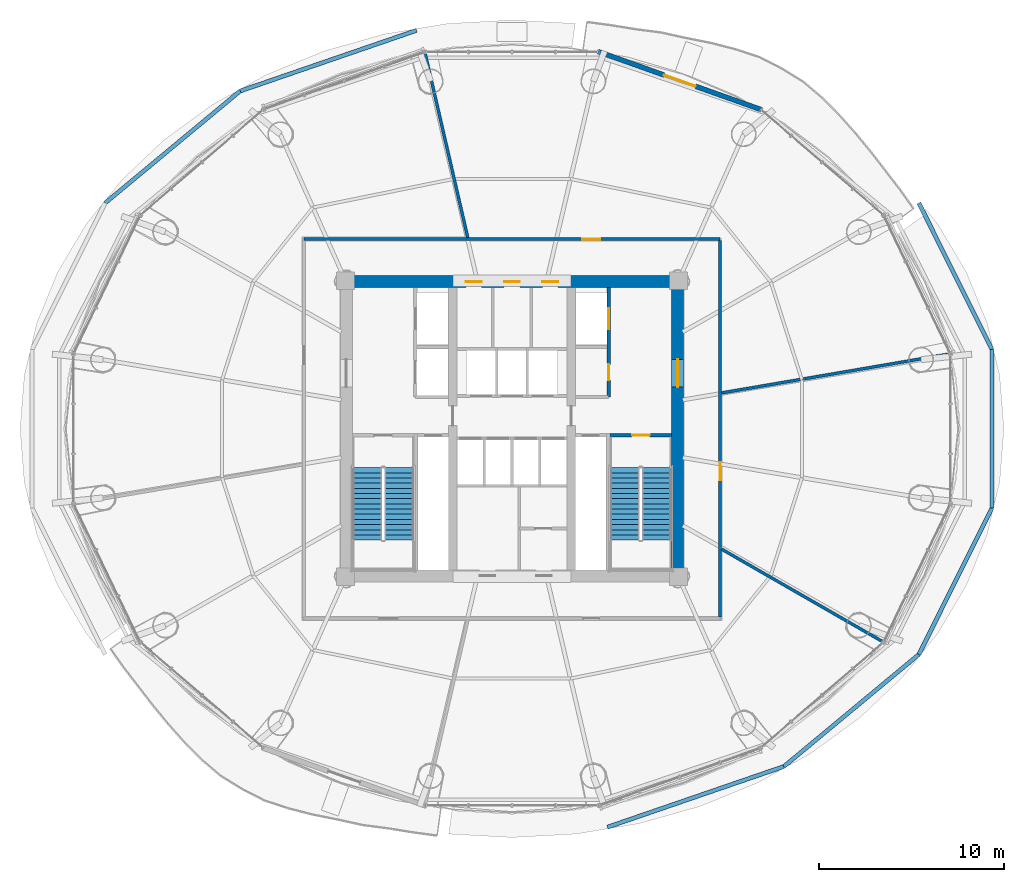
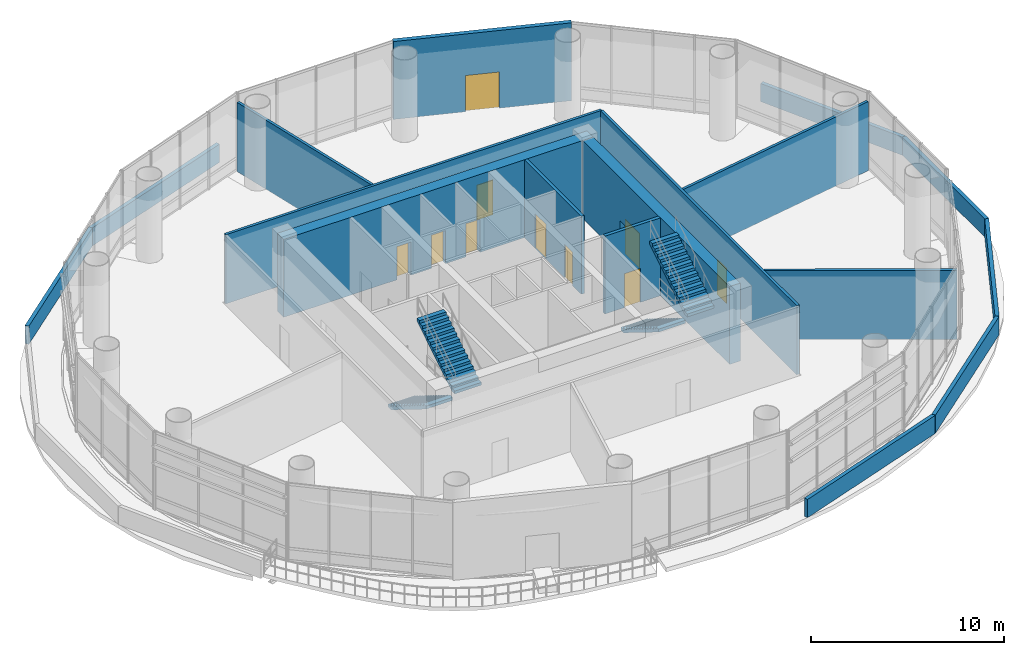
# One storey, part 23 of 29: 17 walls, 10 doors, 4 stair flights, 10 openings, 2 elements without a shape of their own.
"""IFC4 building model written with IfcOpenShell, lengths in metres."""

from ifc_helpers import new_model, si_unit, direction, frame, frame_2d, origin, place, context, subcontext, project, spatial, polyline, rectangle, outline, extrude, source, transform, mapped, material, layer, layer_set, type_object, element, fill, aggregate, save


model = new_model("IFC4")

# Units and contexts
model_context = context("Model", 3, precision=1e-05, world=origin(), true_north=direction((-0.2419218956, 0.970295726276)))
body_context = subcontext(model_context, "Body", "Model", "MODEL_VIEW")
ifc_project = project(units=[si_unit("LENGTHUNIT", "METRE"), si_unit("AREAUNIT", "SQUARE_METRE"), si_unit("VOLUMEUNIT", "CUBIC_METRE"), si_unit("PLANEANGLEUNIT", "RADIAN"), si_unit("MASSUNIT", "GRAM", prefix="KILO")], contexts=[model_context])

# Site, building, storey
site_placement = place(None, origin())
site = spatial("IfcSite", under=ifc_project, at=site_placement, CompositionType="ELEMENT")
building_placement = place(site_placement, origin())
building = spatial("IfcBuilding", under=site, at=building_placement, Name="Cobrevalo Terracotta Tower", CompositionType="ELEMENT")
storey_placement = place(building_placement, frame((0.0, 0.0, 130.199951171875)))
storey = spatial("IfcBuildingStorey", under=building, at=storey_placement, Name="L34", CompositionType="ELEMENT", Elevation=130.199951171875)

# Wall, openings, doors
ifc_material_1 = material(Name="Concrete C55", Category="concrete")
ifc_layer_1 = layer(ifc_material_1, 0.64990234375)
ifc_layer_set_1 = layer_set([ifc_layer_1], Name="Concrete C55")
wall_type_1 = type_object("IfcWallType", Name="Core shear wall 650 mm Concrete C55", PredefinedType="SHEAR", material=ifc_layer_set_1)
wall_1_placement = place(storey_placement, frame((28.72509765625, 34.75, 0.0), z_axis=(0.0, 0.0, 1.0), x_axis=(1.0, 0.0, 0.0)))
wall_1 = element("IfcWall", 1, at=wall_1_placement, inside=storey, type_object=wall_type_1, Name="L34 north core shear wall", PredefinedType="SHEAR", context=body_context, shape_type="SweptSolid", body=[
    extrude(rectangle(XDim=18.5498046875, YDim=0.64990234375, at=frame_2d((9.27490234375, 0.0))), origin(), (0.0, 0.0, 1.0), 4.929931640625),
])
opening_1_placement = place(wall_1_placement, frame((6.78759765625, 0.0, 0.0)))
opening_1 = element("IfcOpeningElement", 2, at=opening_1_placement, cuts=wall_1, Name="Opening ID-22", PredefinedType="OPENING", context=body_context, shape_type="SweptSolid", body=[
    extrude(rectangle(XDim=0.85009765625, YDim=2.10009765625, at=frame_2d((0.425048828125, 1.050048828125))), frame((0.0, 0.3349609375, 0.0), z_axis=(0.0, -1.0, 0.0), x_axis=(1.0, 0.0, 0.0)), (0.0, 0.0, 1.0), 0.669921875),
])
opening_2_placement = place(wall_1_placement, frame((8.844970703125, 0.0, 0.0)))
opening_2 = element("IfcOpeningElement", 3, at=opening_2_placement, cuts=wall_1, Name="Opening ID-07", PredefinedType="OPENING", context=body_context, shape_type="SweptSolid", body=[
    extrude(rectangle(XDim=0.860107421875, YDim=2.10009765625, at=frame_2d((0.43017578125, 1.050048828125))), frame((0.0, 0.3349609375, 0.0), z_axis=(0.0, -1.0, 0.0), x_axis=(1.0, 0.0, 0.0)), (0.0, 0.0, 1.0), 0.669921875),
])
opening_3_placement = place(wall_1_placement, frame((10.91259765625, 0.0, 0.0)))
opening_3 = element("IfcOpeningElement", 4, at=opening_3_placement, cuts=wall_1, Name="Opening ID-22", PredefinedType="OPENING", context=body_context, shape_type="SweptSolid", body=[
    extrude(rectangle(XDim=0.85009765625, YDim=2.10009765625, at=frame_2d((0.425048828125, 1.050048828125))), frame((0.0, 0.3349609375, 0.0), z_axis=(0.0, -1.0, 0.0), x_axis=(1.0, 0.0, 0.0)), (0.0, 0.0, 1.0), 0.669921875),
])
ifc_material_2 = material(Name="Powder-coated steel", Category="steel")
door_type_1 = type_object("IfcDoorType", Name="Riser shaft & meter closet fire access door 850x2100 EI 60", OperationType="NOTDEFINED", PredefinedType="DOOR", material=ifc_material_2)
shared_shape_1 = source(origin(), body_context, "Body", "SweptSolid", [
    extrude(rectangle(XDim=0.85009765625, YDim=2.10009765625, at=frame_2d((0.425048828125, 1.050048828125))), frame((0.0, 0.02490234375, 0.0), z_axis=(0.0, -1.0, 0.0), x_axis=(1.0, 0.0, 0.0)), (0.0, 0.0, 1.0), 0.050048828125),
])
door_1_placement = place(opening_1_placement, frame((0.85009765625, 0.0, 0.0), z_axis=(0.0, 0.0, 1.0), x_axis=(-1.0, 0.0, 0.0)))
door_1 = element("IfcDoor", 5, at=door_1_placement, inside=storey, type_object=door_type_1, Name="L34 core north service door Housekeeping Linen Store", OperationType="SINGLE_SWING_LEFT", OverallHeight=2.10009765625, OverallWidth=0.85009765625, PredefinedType="DOOR", context=body_context, shape_type="MappedRepresentation", body=[
    mapped(shared_shape_1, transform((0.0, 0.0, 0.0), scale=1.0)),
])
fill(opening_1, door_1)
door_2_placement = place(opening_3_placement, frame((0.85009765625, 0.0, 0.0), z_axis=(0.0, 0.0, 1.0), x_axis=(-1.0, 0.0, 0.0)))
door_2 = element("IfcDoor", 6, at=door_2_placement, inside=storey, type_object=door_type_1, Name="L34 core north service door Floor BMS Mechanical Plant", OperationType="SINGLE_SWING_LEFT", OverallHeight=2.10009765625, OverallWidth=0.85009765625, PredefinedType="DOOR", context=body_context, shape_type="MappedRepresentation", body=[
    mapped(shared_shape_1, transform((0.0, 0.0, 0.0), scale=1.0)),
])
fill(opening_3, door_2)
ifc_material_3 = material(Name="Fire-rated moisture-sealed timber", Category="wood")
door_type_2 = type_object("IfcDoorType", Name="Core & podium fire-rated accessible WC door 860x2100 EI 60", OperationType="NOTDEFINED", PredefinedType="DOOR", material=ifc_material_3)
shared_shape_2 = source(origin(), body_context, "Body", "SweptSolid", [
    extrude(rectangle(XDim=0.860107421875, YDim=2.10009765625, at=frame_2d((0.43017578125, 1.050048828125))), frame((0.0, 0.02490234375, 0.0), z_axis=(0.0, -1.0, 0.0), x_axis=(1.0, 0.0, 0.0)), (0.0, 0.0, 1.0), 0.050048828125),
])
door_3_placement = place(opening_2_placement, frame((0.860107421875, 0.0, 0.0), z_axis=(0.0, 0.0, 1.0), x_axis=(-1.0, 0.0, 0.0)))
door_3 = element("IfcDoor", 7, at=door_3_placement, inside=storey, type_object=door_type_2, Name="L34 core north service door Floor Service Toilet WC", OperationType="SINGLE_SWING_RIGHT", OverallHeight=2.10009765625, OverallWidth=0.860107421875, PredefinedType="DOOR", context=body_context, shape_type="MappedRepresentation", body=[
    mapped(shared_shape_2, transform((0.0, 0.0, 0.0), scale=1.0)),
])
fill(opening_2, door_3)

# Wall, opening, door
wall_2_placement = place(storey_placement, frame((46.949951171875, 19.175048828125, 0.0), z_axis=(0.0, 0.0, 1.0), x_axis=(0.0, 1.0, 0.0)))
wall_2 = element("IfcWall", 8, at=wall_2_placement, inside=storey, type_object=wall_type_1, Name="L34 east core shear wall", PredefinedType="SHEAR", context=body_context, shape_type="SweptSolid", body=[
    extrude(rectangle(XDim=15.25, YDim=0.64990234375, at=frame_2d((7.625, 0.0))), origin(), (0.0, 0.0, 1.0), 4.929931640625),
])
opening_4_placement = place(wall_2_placement, frame((9.875, 0.0, 0.0)))
opening_4 = element("IfcOpeningElement", 9, at=opening_4_placement, cuts=wall_2, Name="Opening ID-14", PredefinedType="OPENING", context=body_context, shape_type="SweptSolid", body=[
    extrude(rectangle(XDim=1.5, YDim=2.199951171875, at=frame_2d((0.75, 1.10009765625))), frame((0.0, 0.3349609375, 0.0), z_axis=(0.0, -1.0, 0.0), x_axis=(1.0, 0.0, 0.0)), (0.0, 0.0, 1.0), 0.669921875),
])
ifc_material_4 = material(Name="Galvanized fire-rated steel", Category="steel")
door_type_3 = type_object("IfcDoorType", Name="Core cross-lobby double fire door 1500x2200 EI 90", OperationType="NOTDEFINED", PredefinedType="DOOR", material=ifc_material_4)
shared_shape_3 = source(origin(), body_context, "Body", "SweptSolid", [
    extrude(rectangle(XDim=1.5, YDim=2.199951171875, at=frame_2d((0.75, 1.10009765625))), frame((0.0, 0.02490234375, 0.0), z_axis=(0.0, -1.0, 0.0), x_axis=(1.0, 0.0, 0.0)), (0.0, 0.0, 1.0), 0.050048828125),
])
door_4_placement = place(opening_4_placement, frame((1.5, 0.0, 0.0), z_axis=(0.0, 0.0, 1.0), x_axis=(-1.0, 0.0, 0.0)))
door_4 = element("IfcDoor", 10, at=door_4_placement, inside=storey, type_object=door_type_3, Name="L34 east firefighting lobby entrance door", OperationType="DOUBLE_DOOR_SINGLE_SWING", OverallHeight=2.199951171875, OverallWidth=1.5, PredefinedType="DOOR", context=body_context, shape_type="MappedRepresentation", body=[
    mapped(shared_shape_3, transform((0.0, 0.0, 0.0), scale=1.0)),
])
fill(opening_4, door_4)

ifc_material_5 = material(Name="Gypsum board on steel stud", Category="steel")
ifc_layer_2 = layer(ifc_material_5, 0.159912109375)
ifc_layer_set_2 = layer_set([ifc_layer_2], Name="Gypsum board on steel stud")
wall_type_2 = type_object("IfcWallType", Name="Fire-rated corridor acoustic partition wall 160 mm", PredefinedType="PARTITIONING", material=ifc_layer_set_2)
wall_3_placement = place(storey_placement, frame((26.7451171875, 37.054931640625, 0.0), z_axis=(0.0, 0.0, 1.0), x_axis=(1.0, 0.0, 0.0)))
wall_3 = element("IfcWall", 11, at=wall_3_placement, inside=storey, type_object=wall_type_2, Name="L34 interior partition IW-L34-COR-N", PredefinedType="PARTITIONING", context=body_context, shape_type="SweptSolid", body=[
    extrude(rectangle(XDim=22.509765625, YDim=0.159912109375, at=frame_2d((11.2548828125, 0.0))), origin(), (0.0, 0.0, 1.0), 4.3759765625),
])
opening_5_placement = place(wall_3_placement, frame((15.05224609375, 0.0, 0.0)))
opening_5 = element("IfcOpeningElement", 12, at=opening_5_placement, cuts=wall_3, Name="Opening ID-05", PredefinedType="OPENING", context=body_context, shape_type="SweptSolid", body=[
    extrude(rectangle(XDim=0.97998046875, YDim=2.199951171875, at=frame_2d((0.489990234375, 1.10009765625))), frame((0.0, 0.08984375, 0.0), z_axis=(0.0, -1.0, 0.0), x_axis=(1.0, 0.0, 0.0)), (0.0, 0.0, 1.0), 0.179931640625),
])
ifc_material_6 = material(Name="Solid hardwood timber", Category="wood")
door_type_4 = type_object("IfcDoorType", Name="Residence entrance fire-rated acoustic timber door 980x2200 EI 60", OperationType="NOTDEFINED", PredefinedType="DOOR", material=ifc_material_6)
shared_shape_4 = source(origin(), body_context, "Body", "SweptSolid", [
    extrude(rectangle(XDim=0.97998046875, YDim=2.199951171875, at=frame_2d((0.489990234375, 1.10009765625))), frame((0.0, 0.02490234375, 0.0), z_axis=(0.0, -1.0, 0.0), x_axis=(1.0, 0.0, 0.0)), (0.0, 0.0, 1.0), 0.050048828125),
])
door_5_placement = place(opening_5_placement, frame((0.97998046875, 0.0, 0.0), z_axis=(0.0, 0.0, 1.0), x_axis=(-1.0, 0.0, 0.0)))
door_5 = element("IfcDoor", 13, at=door_5_placement, inside=storey, type_object=door_type_4, Name="L34 Sky Transfer Lounge door", OperationType="SINGLE_SWING_RIGHT", OverallHeight=2.199951171875, OverallWidth=0.97998046875, PredefinedType="DOOR", context=body_context, shape_type="MappedRepresentation", body=[
    mapped(shared_shape_4, transform((0.0, 0.0, 0.0), scale=1.0)),
])
fill(opening_5, door_5)

wall_4_placement = place(storey_placement, frame((49.2548828125, 16.625, 0.0), z_axis=(0.0, 0.0, 1.0), x_axis=(0.0, 1.0, 0.0)))
wall_4 = element("IfcWall", 14, at=wall_4_placement, inside=storey, type_object=wall_type_2, Name="L34 interior partition IW-L34-COR-E", PredefinedType="PARTITIONING", context=body_context, shape_type="SweptSolid", body=[
    extrude(rectangle(XDim=20.35009765625, YDim=0.159912109375, at=frame_2d((10.175048828125, 0.0))), origin(), (0.0, 0.0, 1.0), 4.3759765625),
])
opening_6_placement = place(wall_4_placement, frame((7.393798828125, 0.0, 0.0)))
opening_6 = element("IfcOpeningElement", 15, at=opening_6_placement, cuts=wall_4, Name="Opening ID-05", PredefinedType="OPENING", context=body_context, shape_type="SweptSolid", body=[
    extrude(rectangle(XDim=0.97998046875, YDim=2.199951171875, at=frame_2d((0.489990234375, 1.10009765625))), frame((0.0, 0.08984375, 0.0), z_axis=(0.0, -1.0, 0.0), x_axis=(1.0, 0.0, 0.0)), (0.0, 0.0, 1.0), 0.179931640625),
])
door_6_placement = place(opening_6_placement, frame((0.97998046875, 0.0, 0.0), z_axis=(0.0, 0.0, 1.0), x_axis=(-1.0, 0.0, 0.0)))
door_6 = element("IfcDoor", 16, at=door_6_placement, inside=storey, type_object=door_type_4, Name="L34 Concierge Pantry Store door", OperationType="SINGLE_SWING_RIGHT", OverallHeight=2.199951171875, OverallWidth=0.97998046875, PredefinedType="DOOR", context=body_context, shape_type="MappedRepresentation", body=[
    mapped(shared_shape_4, transform((0.0, 0.0, 0.0), scale=1.0)),
])
fill(opening_6, door_6)

# Walls
wall_5_placement = place(storey_placement, frame((49.3349609375, 28.73779296875, 0.0), z_axis=(0.0, 0.0, 1.0), x_axis=(0.985697276978, 0.168525600897, 0.0)))
element("IfcWall", 17, at=wall_5_placement, inside=storey, type_object=wall_type_2, Name="L34 interior partition IW-L34-SW1", PredefinedType="PARTITIONING", context=body_context, shape_type="SweptSolid", body=[
    extrude(rectangle(XDim=12.448486328125, YDim=0.159912109375, at=frame_2d((6.22412109375, 0.0))), origin(), (0.0, 0.0, 1.0), 4.3759765625),
])
wall_6_placement = place(storey_placement, frame((35.607666015625, 37.136962890625, 0.0), z_axis=(0.0, 0.0, 1.0), x_axis=(-0.22546402623, 0.974251493648, 0.0)))
element("IfcWall", 18, at=wall_6_placement, inside=storey, type_object=wall_type_2, Name="L34 interior partition IW-L34-SW2", PredefinedType="PARTITIONING", context=body_context, shape_type="SweptSolid", body=[
    extrude(rectangle(XDim=10.20458984375, YDim=0.159912109375, at=frame_2d((5.102294921875, 0.0))), origin(), (0.0, 0.0, 1.0), 4.3759765625),
])
wall_7_placement = place(storey_placement, frame((49.3349609375, 20.290283203125, 0.0), z_axis=(0.0, 0.0, 1.0), x_axis=(0.867165650495, -0.498019813463, 0.0)))
element("IfcWall", 19, at=wall_7_placement, inside=storey, type_object=wall_type_2, Name="L34 interior partition IW-L34-SW5", PredefinedType="PARTITIONING", context=body_context, shape_type="SweptSolid", body=[
    extrude(rectangle(XDim=10.00244140625, YDim=0.159912109375, at=frame_2d((5.001220703125, 0.0))), origin(), (0.0, 0.0, 1.0), 4.3759765625),
])

# Wall, openings, doors
ifc_layer_3 = layer(ifc_material_5, 0.179931640625)
ifc_layer_set_3 = layer_set([ifc_layer_3], Name="Gypsum board on steel stud")
wall_type_3 = type_object("IfcWallType", Name="Fire-rated shaft & lobby acoustic partition wall 180 mm", PredefinedType="PARTITIONING", material=ifc_layer_set_3)
wall_8_placement = place(storey_placement, frame((43.22998046875, 28.52001953125, 0.0), z_axis=(0.0, 0.0, 1.0), x_axis=(0.0, 1.0, 0.0)))
wall_8 = element("IfcWall", 20, at=wall_8_placement, inside=storey, type_object=wall_type_3, Name="L34 interior partition IW-L34-FF2-E", PredefinedType="PARTITIONING", context=body_context, shape_type="SweptSolid", body=[
    extrude(rectangle(XDim=5.905029296875, YDim=0.179931640625, at=frame_2d((2.95263671875, 0.0))), origin(), (0.0, 0.0, 1.0), 4.929931640625),
])
opening_7_placement = place(wall_8_placement, frame((0.905029296875, 0.0, 0.0)))
opening_7 = element("IfcOpeningElement", 21, at=opening_7_placement, cuts=wall_8, Name="Opening ID-22", PredefinedType="OPENING", context=body_context, shape_type="SweptSolid", body=[
    extrude(rectangle(XDim=0.85009765625, YDim=2.10009765625, at=frame_2d((0.425048828125, 1.050048828125))), frame((0.0, 0.10009765625, 0.0), z_axis=(0.0, -1.0, 0.0), x_axis=(1.0, 0.0, 0.0)), (0.0, 0.0, 1.0), 0.199951171875),
])
opening_8_placement = place(wall_8_placement, frame((3.655029296875, 0.0, 0.0)))
opening_8 = element("IfcOpeningElement", 22, at=opening_8_placement, cuts=wall_8, Name="Opening LD-02", PredefinedType="OPENING", context=body_context, shape_type="SweptSolid", body=[
    extrude(rectangle(XDim=1.14990234375, YDim=2.199951171875, at=frame_2d((0.574951171875, 1.10009765625))), frame((0.0, 0.10009765625, 0.0), z_axis=(0.0, -1.0, 0.0), x_axis=(1.0, 0.0, 0.0)), (0.0, 0.0, 1.0), 0.199951171875),
])
door_7_placement = place(opening_7_placement, frame((0.85009765625, 0.0, 0.0), z_axis=(0.0, 0.0, 1.0), x_axis=(-1.0, 0.0, 0.0)))
door_7 = element("IfcDoor", 23, at=door_7_placement, inside=storey, type_object=door_type_1, Name="L34 housekeeping store door", OperationType="SINGLE_SWING_RIGHT", OverallHeight=2.10009765625, OverallWidth=0.85009765625, PredefinedType="DOOR", context=body_context, shape_type="MappedRepresentation", body=[
    mapped(shared_shape_1, transform((0.0, 0.0, 0.0), scale=1.0)),
])
fill(opening_7, door_7)
ifc_material_7 = material(Name="Brushed stainless steel", Category="steel")
door_type_5 = type_object("IfcDoorType", Name="Firefighting lift landing bi-parting sliding door 1150x2200 EI 120", OperationType="DOUBLE_DOOR_SLIDING", PredefinedType="DOOR", material=ifc_material_7)
shared_shape_5 = source(origin(), body_context, "Body", "SweptSolid", [
    extrude(rectangle(XDim=1.14990234375, YDim=2.199951171875, at=frame_2d((0.574951171875, 1.10009765625))), frame((0.0, 0.02490234375, 0.0), z_axis=(0.0, -1.0, 0.0), x_axis=(1.0, 0.0, 0.0)), (0.0, 0.0, 1.0), 0.050048828125),
])
door_8_placement = place(opening_8_placement, origin())
door_8 = element("IfcDoor", 24, at=door_8_placement, inside=storey, type_object=door_type_5, Name="L34 lift landing door FF-2", OperationType="DOUBLE_DOOR_SLIDING", OverallHeight=2.199951171875, OverallWidth=1.14990234375, PredefinedType="DOOR", context=body_context, shape_type="MappedRepresentation", body=[
    mapped(shared_shape_5, transform((0.0, 0.0, 0.0), scale=1.0)),
])
fill(opening_8, door_8)

# Walls
ifc_material_8 = material(Name="Precast concrete C45", Category="concrete")
ifc_layer_4 = layer(ifc_material_8, 0.219970703125)
ifc_layer_set_4 = layer_set([ifc_layer_4], Name="Precast concrete C45")
wall_type_4 = type_object("IfcWallType", Name="Precast concrete roof and setback terrace parapet wall 220 mm", PredefinedType="PARAPET", material=ifc_layer_set_4)
wall_9_placement = place(storey_placement, frame((63.95166015625, 31.084228515625, 0.0), z_axis=(0.0, 0.0, 1.0), x_axis=(-0.446573272083, 0.894747066305, 0.0)))
element("IfcWall", 25, at=wall_9_placement, inside=storey, type_object=wall_type_4, Name="L34 setback roof concrete parapet 01", PredefinedType="PARAPET", context=body_context, shape_type="SweptSolid", body=[
    extrude(rectangle(XDim=8.84716796875, YDim=0.219970703125, at=frame_2d((4.423583984375, 0.0))), origin(), (0.0, 0.0, 1.0), 1.150146484375),
])
wall_10_placement = place(storey_placement, frame((32.837890625, 48.338134765625, 0.0), z_axis=(0.0, 0.0, 1.0), x_axis=(-0.945678925205, -0.325102092309, 0.0)))
element("IfcWall", 26, at=wall_10_placement, inside=storey, type_object=wall_type_4, Name="L34 setback roof concrete parapet 05", PredefinedType="PARAPET", context=body_context, shape_type="SweptSolid", body=[
    extrude(rectangle(XDim=10.086181640625, YDim=0.219970703125, at=frame_2d((5.04296875, 0.0))), origin(), (0.0, 0.0, 1.0), 1.150146484375),
])
wall_11_placement = place(storey_placement, frame((23.299560546875, 45.05908203125, 0.0), z_axis=(0.0, 0.0, 1.0), x_axis=(-0.769502226304, -0.638644129162, 0.0)))
element("IfcWall", 27, at=wall_11_placement, inside=storey, type_object=wall_type_4, Name="L34 setback roof concrete parapet 06", PredefinedType="PARAPET", context=body_context, shape_type="SweptSolid", body=[
    extrude(rectangle(XDim=9.487060546875, YDim=0.219970703125, at=frame_2d((4.74365234375, 0.0))), origin(), (0.0, 0.0, 1.0), 1.150146484375),
])
wall_12_placement = place(storey_placement, frame((43.162109375, 5.261962890625, 0.0), z_axis=(0.0, 0.0, 1.0), x_axis=(0.945678925205, 0.325102092309, 0.0)))
element("IfcWall", 28, at=wall_12_placement, inside=storey, type_object=wall_type_4, Name="L34 setback roof concrete parapet 13", PredefinedType="PARAPET", context=body_context, shape_type="SweptSolid", body=[
    extrude(rectangle(XDim=10.086181640625, YDim=0.219970703125, at=frame_2d((5.04296875, 0.0))), origin(), (0.0, 0.0, 1.0), 1.150146484375),
])
wall_13_placement = place(storey_placement, frame((52.700439453125, 8.541015625, 0.0), z_axis=(0.0, 0.0, 1.0), x_axis=(0.769514873097, 0.638628890736, 0.0)))
element("IfcWall", 29, at=wall_13_placement, inside=storey, type_object=wall_type_4, Name="L34 setback roof concrete parapet 14", PredefinedType="PARAPET", context=body_context, shape_type="SweptSolid", body=[
    extrude(rectangle(XDim=9.48681640625, YDim=0.219970703125, at=frame_2d((4.743408203125, 0.0))), origin(), (0.0, 0.0, 1.0), 1.150146484375),
])
wall_14_placement = place(storey_placement, frame((60.000732421875, 14.599609375, 0.0), z_axis=(0.0, 0.0, 1.0), x_axis=(0.4465622461, 0.89475256935, 0.0)))
element("IfcWall", 30, at=wall_14_placement, inside=storey, type_object=wall_type_4, Name="L34 setback roof concrete parapet 15", PredefinedType="PARAPET", context=body_context, shape_type="SweptSolid", body=[
    extrude(rectangle(XDim=8.847412109375, YDim=0.219970703125, at=frame_2d((4.423828125, 0.0))), origin(), (0.0, 0.0, 1.0), 1.150146484375),
])
wall_15_placement = place(storey_placement, frame((63.95166015625, 22.515869140625, 0.0), z_axis=(0.0, 0.0, 1.0), x_axis=(0.0, 1.0, 0.0)))
element("IfcWall", 31, at=wall_15_placement, inside=storey, type_object=wall_type_4, Name="L34 setback roof concrete parapet 16", PredefinedType="PARAPET", context=body_context, shape_type="SweptSolid", body=[
    extrude(rectangle(XDim=8.568359375, YDim=0.219970703125, at=frame_2d((4.2841796875, 0.0))), origin(), (0.0, 0.0, 1.0), 1.150146484375),
])

# Wall, opening, door
ifc_material_9 = material(Name="Autoclaved aerated concrete block", Category="concrete")
ifc_layer_5 = layer(ifc_material_9, 0.260009765625)
ifc_layer_set_5 = layer_set([ifc_layer_5], Name="Autoclaved aerated concrete block")
wall_type_5 = type_object("IfcWallType", Name="Recessed balcony loggia insulated exterior wall 260 mm", PredefinedType="SOLIDWALL", material=ifc_layer_set_5)
wall_16_placement = place(storey_placement, frame((51.50341796875, 44.042724609375, 0.0), z_axis=(0.0, 0.0, 1.0), x_axis=(-0.942095406405, 0.335344964522, 0.0)))
wall_16 = element("IfcWall", 32, at=wall_16_placement, inside=storey, type_object=wall_type_5, Name="L34 sky terrace loggia wall S03", PredefinedType="SOLIDWALL", context=body_context, shape_type="SweptSolid", body=[
    extrude(rectangle(XDim=9.408203125, YDim=0.260009765625, at=frame_2d((4.7041015625, 0.0))), origin(), (0.0, 0.0, 1.0), 4.929931640625),
])
opening_9_placement = place(wall_16_placement, frame((3.80419921875, 0.0, 0.0)))
opening_9 = element("IfcOpeningElement", 33, at=opening_9_placement, cuts=wall_16, Name="Opening ED-11", PredefinedType="OPENING", context=body_context, shape_type="SweptSolid", body=[
    extrude(rectangle(XDim=1.800048828125, YDim=2.300048828125, at=frame_2d((0.89990234375, 1.14990234375))), frame((0.0, 0.14013671875, 0.0), z_axis=(0.0, -1.0, 0.0), x_axis=(1.0, 0.0, 0.0)), (0.0, 0.0, 1.0), 0.280029296875),
])
ifc_material_10 = material(Name="Anodized aluminium and laminated glass", Category="aluminium")
door_type_6 = type_object("IfcDoorType", Name="Upper terrace & penthouse external double glazed door 1800x2300", OperationType="NOTDEFINED", PredefinedType="DOOR", material=ifc_material_10)
shared_shape_6 = source(origin(), body_context, "Body", "SweptSolid", [
    extrude(rectangle(XDim=1.800048828125, YDim=2.300048828125, at=frame_2d((0.89990234375, 1.14990234375))), frame((0.0, 0.02490234375, 0.0), z_axis=(0.0, -1.0, 0.0), x_axis=(1.0, 0.0, 0.0)), (0.0, 0.0, 1.0), 0.050048828125),
])
door_9_placement = place(opening_9_placement, frame((1.800048828125, 0.0, 0.0), z_axis=(0.0, 0.0, 1.0), x_axis=(-1.0, 0.0, 0.0)))
door_9 = element("IfcDoor", 34, at=door_9_placement, inside=storey, type_object=door_type_6, Name="L34 external terrace glazed double door 1", OperationType="DOUBLE_DOOR_SINGLE_SWING", OverallHeight=2.300048828125, OverallWidth=1.800048828125, PredefinedType="DOOR", context=body_context, shape_type="MappedRepresentation", body=[
    mapped(shared_shape_6, transform((0.0, 0.0, 0.0), scale=1.0)),
])
fill(opening_9, door_9)

ifc_material_11 = material(Name="Concrete C50", Category="concrete")
ifc_layer_6 = layer(ifc_material_11, 0.199951171875)
ifc_layer_set_6 = layer_set([ifc_layer_6], Name="Concrete C50")
wall_type_6 = type_object("IfcWallType", Name="Structural core & podium stair-shaft RC wall 200 mm Concrete C50", PredefinedType="SOLIDWALL", material=ifc_layer_set_6)
wall_17_placement = place(storey_placement, frame((43.304931640625, 26.449951171875, 0.0), z_axis=(0.0, 0.0, 1.0), x_axis=(1.0, 0.0, 0.0)))
wall_17 = element("IfcWall", 35, at=wall_17_placement, inside=storey, type_object=wall_type_6, Name="L34 ST-2 north structural shaft wall", PredefinedType="SOLIDWALL", context=body_context, shape_type="SweptSolid", body=[
    extrude(rectangle(XDim=3.320068359375, YDim=0.199951171875, at=frame_2d((1.66015625, 0.0))), origin(), (0.0, 0.0, 1.0), 4.929931640625),
])
opening_10_placement = place(wall_17_placement, frame((1.18505859375, 0.0, 0.0)))
opening_10 = element("IfcOpeningElement", 36, at=opening_10_placement, cuts=wall_17, Name="Opening ID-04", PredefinedType="OPENING", context=body_context, shape_type="SweptSolid", body=[
    extrude(rectangle(XDim=0.949951171875, YDim=2.14990234375, at=frame_2d((0.47509765625, 1.074951171875))), frame((0.0, 0.10986328125, 0.0), z_axis=(0.0, -1.0, 0.0), x_axis=(1.0, 0.0, 0.0)), (0.0, 0.0, 1.0), 0.219970703125),
])
door_type_7 = type_object("IfcDoorType", Name="Stair & firefighting lobby fire door 950x2150 EI 90", OperationType="NOTDEFINED", PredefinedType="DOOR", material=ifc_material_4)
shared_shape_7 = source(origin(), body_context, "Body", "SweptSolid", [
    extrude(rectangle(XDim=0.949951171875, YDim=2.14990234375, at=frame_2d((0.47509765625, 1.074951171875))), frame((0.0, 0.02490234375, 0.0), z_axis=(0.0, -1.0, 0.0), x_axis=(1.0, 0.0, 0.0)), (0.0, 0.0, 1.0), 0.050048828125),
])
door_10_placement = place(opening_10_placement, frame((0.949951171875, 0.0, 0.0), z_axis=(0.0, 0.0, 1.0), x_axis=(-1.0, 0.0, 0.0)))
door_10 = element("IfcDoor", 37, at=door_10_placement, inside=storey, type_object=door_type_7, Name="L34 protected stair ST2 fire door", OperationType="SINGLE_SWING_RIGHT", OverallHeight=2.14990234375, OverallWidth=0.949951171875, PredefinedType="DOOR", context=body_context, shape_type="MappedRepresentation", body=[
    mapped(shared_shape_7, transform((0.0, 0.0, 0.0), scale=1.0)),
])
fill(opening_10, door_10)

# Stair, stair flights
stair_type = type_object("IfcStairType", Name="Core protected escape dogleg stair 1600", PredefinedType="HALF_TURN_STAIR", material=ifc_material_11)
stair_1_placement = place(storey_placement, origin())
stair_1 = element("IfcStair", 38, at=stair_1_placement, inside=storey, type_object=stair_type, Name="L34 Protected exit stair ST-1", PredefinedType="HALF_TURN_STAIR")
stair_flight_type = type_object("IfcStairFlightType", Name="Core protected escape dogleg stair 1600 flight", PredefinedType="STRAIGHT", material=ifc_material_11)
stair_flight_1_placement = place(storey_placement, frame((30.175048828125, 24.699951171875, 0.0), z_axis=(0.0, 0.0, 1.0), x_axis=(0.0, -1.0, 0.0)))
stair_flight_1 = element("IfcStairFlight", 39, at=stair_flight_1_placement, type_object=stair_flight_type, Name="ST-1 flight 1", NumberOfRisers=15, NumberOfTreads=14, PredefinedType="STRAIGHT", RiserHeight=0.173333333, TreadLength=0.28, context=body_context, shape_type="SweptSolid", body=[
    extrude(outline(polyline([(0.0, 0.0), (0.0, 0.17333984375), (0.280029296875, 0.17333984375), (0.280029296875, 0.3466796875), (0.56005859375, 0.3466796875), (0.56005859375, 0.52001953125), (0.840087890625, 0.52001953125), (0.840087890625, 0.693359375), (1.1201171875, 0.693359375), (1.1201171875, 0.86669921875), (1.39990234375, 0.86669921875), (1.39990234375, 1.0400390625), (1.679931640625, 1.0400390625), (1.679931640625, 1.21337890625), (1.9599609375, 1.21337890625), (1.9599609375, 1.38671875), (2.239990234375, 1.38671875), (2.239990234375, 1.56005859375), (2.52001953125, 1.56005859375), (2.52001953125, 1.7333984375), (2.800048828125, 1.7333984375), (2.800048828125, 1.90673828125), (3.080078125, 1.90673828125), (3.080078125, 2.080078125), (3.360107421875, 2.080078125), (3.360107421875, 2.25341796875), (3.639892578125, 2.25341796875), (3.639892578125, 2.4267578125), (3.919921875, 2.4267578125), (3.919921875, 2.60009765625), (3.919921875, 2.238525390625), (0.3037109375, 0.0), (0.0, 0.0)])), frame((0.0, 0.800048828125, 0.0), z_axis=(0.0, -1.0, 0.0), x_axis=(1.0, 0.0, 0.0)), (0.0, 0.0, 1.0), 1.60009765625),
])
stair_flight_2_placement = place(storey_placement, frame((31.89501953125, 20.780029296875, 2.60009765625), z_axis=(0.0, 0.0, 1.0), x_axis=(0.0, 1.0, 0.0)))
stair_flight_2 = element("IfcStairFlight", 40, at=stair_flight_2_placement, type_object=stair_flight_type, Name="ST-1 flight 2", NumberOfRisers=15, NumberOfTreads=14, PredefinedType="STRAIGHT", RiserHeight=0.173333333, TreadLength=0.28, context=body_context, shape_type="SweptSolid", body=[
    extrude(outline(polyline([(0.0, 0.0), (0.0, 0.17333984375), (0.280029296875, 0.17333984375), (0.280029296875, 0.3466796875), (0.56005859375, 0.3466796875), (0.56005859375, 0.52001953125), (0.840087890625, 0.52001953125), (0.840087890625, 0.693359375), (1.1201171875, 0.693359375), (1.1201171875, 0.86669921875), (1.39990234375, 0.86669921875), (1.39990234375, 1.0400390625), (1.679931640625, 1.0400390625), (1.679931640625, 1.21337890625), (1.9599609375, 1.21337890625), (1.9599609375, 1.38671875), (2.239990234375, 1.38671875), (2.239990234375, 1.56005859375), (2.52001953125, 1.56005859375), (2.52001953125, 1.7333984375), (2.800048828125, 1.7333984375), (2.800048828125, 1.90673828125), (3.080078125, 1.90673828125), (3.080078125, 2.080078125), (3.360107421875, 2.080078125), (3.360107421875, 2.25341796875), (3.639892578125, 2.25341796875), (3.639892578125, 2.4267578125), (3.919921875, 2.4267578125), (3.919921875, 2.60009765625), (3.919921875, 2.238525390625), (0.3037109375, 0.0), (0.0, 0.0)])), frame((0.0, 0.800048828125, 0.0), z_axis=(0.0, -1.0, 0.0), x_axis=(1.0, 0.0, 0.0)), (0.0, 0.0, 1.0), 1.60009765625),
])
aggregate(stair_1, [stair_flight_1, stair_flight_2])

stair_2_placement = place(storey_placement, origin())
stair_2 = element("IfcStair", 41, at=stair_2_placement, inside=storey, type_object=stair_type, Name="L34 Protected exit stair ST-2", PredefinedType="HALF_TURN_STAIR")
stair_flight_3_placement = place(storey_placement, frame((44.10498046875, 24.699951171875, 0.0), z_axis=(0.0, 0.0, 1.0), x_axis=(0.0, -1.0, 0.0)))
stair_flight_3 = element("IfcStairFlight", 42, at=stair_flight_3_placement, type_object=stair_flight_type, Name="ST-2 flight 1", NumberOfRisers=15, NumberOfTreads=14, PredefinedType="STRAIGHT", RiserHeight=0.173333333, TreadLength=0.28, context=body_context, shape_type="SweptSolid", body=[
    extrude(outline(polyline([(0.0, 0.0), (0.0, 0.17333984375), (0.280029296875, 0.17333984375), (0.280029296875, 0.3466796875), (0.56005859375, 0.3466796875), (0.56005859375, 0.52001953125), (0.840087890625, 0.52001953125), (0.840087890625, 0.693359375), (1.1201171875, 0.693359375), (1.1201171875, 0.86669921875), (1.39990234375, 0.86669921875), (1.39990234375, 1.0400390625), (1.679931640625, 1.0400390625), (1.679931640625, 1.21337890625), (1.9599609375, 1.21337890625), (1.9599609375, 1.38671875), (2.239990234375, 1.38671875), (2.239990234375, 1.56005859375), (2.52001953125, 1.56005859375), (2.52001953125, 1.7333984375), (2.800048828125, 1.7333984375), (2.800048828125, 1.90673828125), (3.080078125, 1.90673828125), (3.080078125, 2.080078125), (3.360107421875, 2.080078125), (3.360107421875, 2.25341796875), (3.639892578125, 2.25341796875), (3.639892578125, 2.4267578125), (3.919921875, 2.4267578125), (3.919921875, 2.60009765625), (3.919921875, 2.238525390625), (0.3037109375, 0.0), (0.0, 0.0)])), frame((0.0, 0.800048828125, 0.0), z_axis=(0.0, -1.0, 0.0), x_axis=(1.0, 0.0, 0.0)), (0.0, 0.0, 1.0), 1.60009765625),
])
stair_flight_4_placement = place(storey_placement, frame((45.824951171875, 20.780029296875, 2.60009765625), z_axis=(0.0, 0.0, 1.0), x_axis=(0.0, 1.0, 0.0)))
stair_flight_4 = element("IfcStairFlight", 43, at=stair_flight_4_placement, type_object=stair_flight_type, Name="ST-2 flight 2", NumberOfRisers=15, NumberOfTreads=14, PredefinedType="STRAIGHT", RiserHeight=0.173333333, TreadLength=0.28, context=body_context, shape_type="SweptSolid", body=[
    extrude(outline(polyline([(0.0, 0.0), (0.0, 0.17333984375), (0.280029296875, 0.17333984375), (0.280029296875, 0.3466796875), (0.56005859375, 0.3466796875), (0.56005859375, 0.52001953125), (0.840087890625, 0.52001953125), (0.840087890625, 0.693359375), (1.1201171875, 0.693359375), (1.1201171875, 0.86669921875), (1.39990234375, 0.86669921875), (1.39990234375, 1.0400390625), (1.679931640625, 1.0400390625), (1.679931640625, 1.21337890625), (1.9599609375, 1.21337890625), (1.9599609375, 1.38671875), (2.239990234375, 1.38671875), (2.239990234375, 1.56005859375), (2.52001953125, 1.56005859375), (2.52001953125, 1.7333984375), (2.800048828125, 1.7333984375), (2.800048828125, 1.90673828125), (3.080078125, 1.90673828125), (3.080078125, 2.080078125), (3.360107421875, 2.080078125), (3.360107421875, 2.25341796875), (3.639892578125, 2.25341796875), (3.639892578125, 2.4267578125), (3.919921875, 2.4267578125), (3.919921875, 2.60009765625), (3.919921875, 2.238525390625), (0.3037109375, 0.0), (0.0, 0.0)])), frame((0.0, 0.800048828125, 0.0), z_axis=(0.0, -1.0, 0.0), x_axis=(1.0, 0.0, 0.0)), (0.0, 0.0, 1.0), 1.60009765625),
])
aggregate(stair_2, [stair_flight_3, stair_flight_4])

save(model, "model.ifc")
